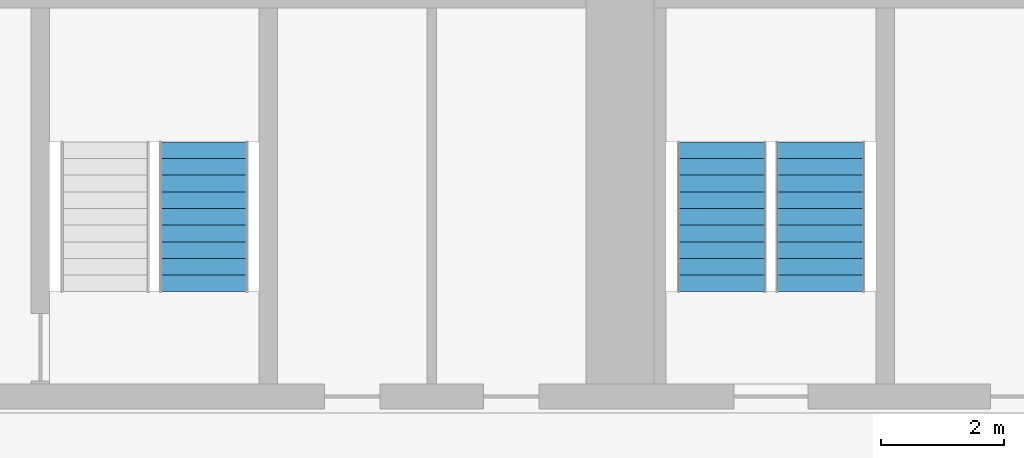
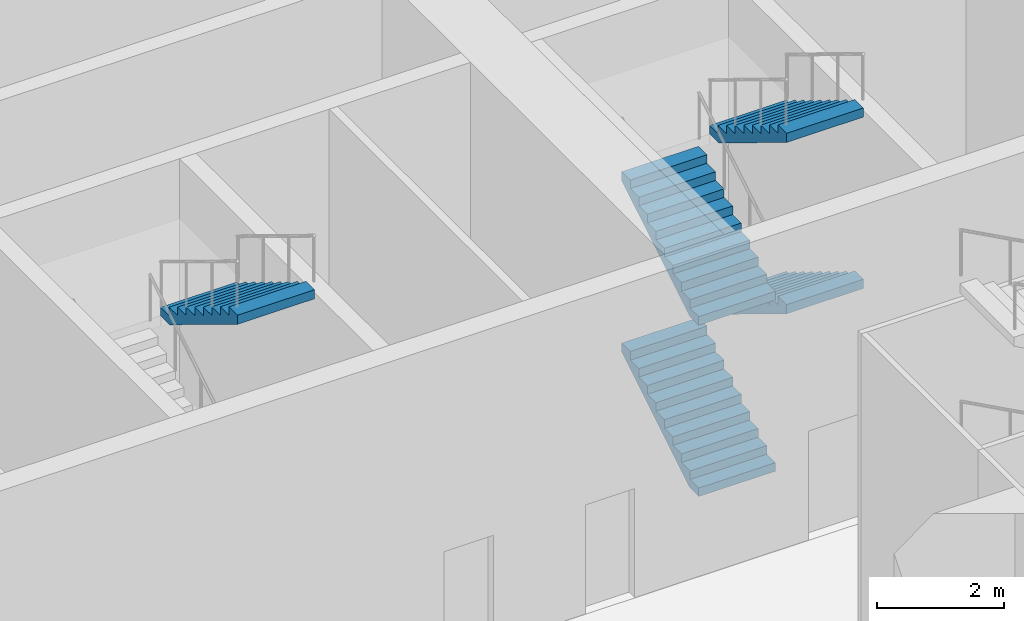
# One storey, part 13 of 18: 5 stair flights, 2 elements without a shape of their own.
"""IFC4 building model written with IfcOpenShell, lengths in metres."""

from ifc_helpers import new_model, si_unit, direction, frame, origin, place, context, subcontext, project, spatial, polyline, outline, extrude, material, type_object, element, aggregate, save


model = new_model("IFC4")

# Units and contexts
model_context = context("Model", 3, precision=1e-05, world=origin(), true_north=direction((0.0, 1.0)))
body_context = subcontext(model_context, "Body", "Model", "MODEL_VIEW")
ifc_project = project(units=[si_unit("LENGTHUNIT", "METRE"), si_unit("AREAUNIT", "SQUARE_METRE"), si_unit("VOLUMEUNIT", "CUBIC_METRE"), si_unit("PLANEANGLEUNIT", "RADIAN"), si_unit("MASSUNIT", "GRAM", prefix="KILO")], contexts=[model_context])

# Site, building, storey
site_placement = place(None, origin())
site = spatial("IfcSite", under=ifc_project, at=site_placement, CompositionType="ELEMENT")
building_placement = place(site_placement, origin())
building = spatial("IfcBuilding", under=site, at=building_placement, Name="Calvaro Tower", CompositionType="ELEMENT")
storey_placement = place(building_placement, frame((0.0, 0.0, 11.300048828125)))
storey = spatial("IfcBuildingStorey", under=building, at=storey_placement, Name="L02", CompositionType="ELEMENT", Elevation=11.300048828125)

# Stair, stair flight
ifc_material_1 = material(Name="Concrete C40/50", Category="concrete")
stair_type = type_object("IfcStairType", Name="Exit stair 1400 4 flights", PredefinedType="DOUBLE_RETURN_STAIR", material=ifc_material_1)
stair_1_placement = place(storey_placement, origin())
stair_1 = element("IfcStair", 1, at=stair_1_placement, inside=storey, type_object=stair_type, Name="Exit stair S4", PredefinedType="DOUBLE_RETURN_STAIR")
ifc_material_2 = material(Name="Concrete C40/50", Category="concrete")
stair_flight_type = type_object("IfcStairFlightType", Name="Stair flight", PredefinedType="STRAIGHT", material=ifc_material_2)
stair_flight_1_placement = place(storey_placement, frame((53.300048828125, 32.330078125, 4.949951171875), z_axis=(0.0, 0.0, 1.0), x_axis=(0.0, -1.0, 0.0)))
stair_flight_1 = element("IfcStairFlight", 2, at=stair_flight_1_placement, type_object=stair_flight_type, Name="Exit stair 4, flight 4", NumberOfRisers=10, NumberOfTreads=9, PredefinedType="STRAIGHT", RiserHeight=0.165, TreadLength=0.27, context=body_context, shape_type="SweptSolid", body=[
    extrude(outline(polyline([(0.0, 0.0), (0.0, 0.1650390625), (0.27001953125, 0.1650390625), (0.27001953125, 0.330078125), (0.5400390625, 0.330078125), (0.5400390625, 0.4951171875), (0.81005859375, 0.4951171875), (0.81005859375, 0.659912109375), (1.080078125, 0.659912109375), (1.080078125, 0.824951171875), (1.35009765625, 0.824951171875), (1.35009765625, 0.989990234375), (1.6201171875, 0.989990234375), (1.6201171875, 1.155029296875), (1.889892578125, 1.155029296875), (1.889892578125, 1.320068359375), (2.159912109375, 1.320068359375), (2.159912109375, 1.485107421875), (2.429931640625, 1.485107421875), (2.429931640625, 1.64990234375), (2.429931640625, 1.309326171875), (0.287353515625, 0.0), (0.0, 0.0)])), frame((0.0, 0.699951171875, 0.0), z_axis=(0.0, -1.0, 0.0), x_axis=(1.0, 0.0, 0.0)), (0.0, 0.0, 1.0), 1.39990234375),
])
aggregate(stair_1, [stair_flight_1])

# Stair, stair flights
stair_2_placement = place(storey_placement, origin())
stair_2 = element("IfcStair", 3, at=stair_2_placement, inside=storey, type_object=stair_type, Name="Exit stair S5", PredefinedType="DOUBLE_RETURN_STAIR")
stair_flight_2_placement = place(storey_placement, frame((61.699951171875, 29.89990234375, 0.0), z_axis=(0.0, 0.0, 1.0), x_axis=(0.0, 1.0, 0.0)))
stair_flight_2 = element("IfcStairFlight", 4, at=stair_flight_2_placement, type_object=stair_flight_type, Name="Exit stair 5, flight 1", NumberOfRisers=10, NumberOfTreads=9, PredefinedType="STRAIGHT", RiserHeight=0.165, TreadLength=0.27, context=body_context, shape_type="SweptSolid", body=[
    extrude(outline(polyline([(0.0, 0.0), (0.0, 0.1650390625), (0.27001953125, 0.1650390625), (0.27001953125, 0.330078125), (0.5400390625, 0.330078125), (0.5400390625, 0.4951171875), (0.81005859375, 0.4951171875), (0.81005859375, 0.659912109375), (1.080078125, 0.659912109375), (1.080078125, 0.824951171875), (1.35009765625, 0.824951171875), (1.35009765625, 0.989990234375), (1.6201171875, 0.989990234375), (1.6201171875, 1.155029296875), (1.889892578125, 1.155029296875), (1.889892578125, 1.320068359375), (2.159912109375, 1.320068359375), (2.159912109375, 1.485107421875), (2.429931640625, 1.485107421875), (2.429931640625, 1.64990234375), (2.429931640625, 1.309326171875), (0.287353515625, 0.0), (0.0, 0.0)])), frame((0.0, 0.699951171875, 0.0), z_axis=(0.0, -1.0, 0.0), x_axis=(1.0, 0.0, 0.0)), (0.0, 0.0, 1.0), 1.39990234375),
])
stair_flight_3_placement = place(storey_placement, frame((63.300048828125, 32.330078125, 1.64990234375), z_axis=(0.0, 0.0, 1.0), x_axis=(0.0, -1.0, 0.0)))
stair_flight_3 = element("IfcStairFlight", 5, at=stair_flight_3_placement, type_object=stair_flight_type, Name="Exit stair 5, flight 2", NumberOfRisers=10, NumberOfTreads=9, PredefinedType="STRAIGHT", RiserHeight=0.165, TreadLength=0.27, context=body_context, shape_type="SweptSolid", body=[
    extrude(outline(polyline([(0.0, 0.0), (0.0, 0.1650390625), (0.27001953125, 0.1650390625), (0.27001953125, 0.330078125), (0.5400390625, 0.330078125), (0.5400390625, 0.4951171875), (0.81005859375, 0.4951171875), (0.81005859375, 0.659912109375), (1.080078125, 0.659912109375), (1.080078125, 0.824951171875), (1.35009765625, 0.824951171875), (1.35009765625, 0.989990234375), (1.6201171875, 0.989990234375), (1.6201171875, 1.155029296875), (1.889892578125, 1.155029296875), (1.889892578125, 1.320068359375), (2.159912109375, 1.320068359375), (2.159912109375, 1.485107421875), (2.429931640625, 1.485107421875), (2.429931640625, 1.64990234375), (2.429931640625, 1.309326171875), (0.287353515625, 0.0), (0.0, 0.0)])), frame((0.0, 0.699951171875, 0.0), z_axis=(0.0, -1.0, 0.0), x_axis=(1.0, 0.0, 0.0)), (0.0, 0.0, 1.0), 1.39990234375),
])
stair_flight_4_placement = place(storey_placement, frame((61.699951171875, 29.89990234375, 3.300048828125), z_axis=(0.0, 0.0, 1.0), x_axis=(0.0, 1.0, 0.0)))
stair_flight_4 = element("IfcStairFlight", 6, at=stair_flight_4_placement, type_object=stair_flight_type, Name="Exit stair 5, flight 3", NumberOfRisers=10, NumberOfTreads=9, PredefinedType="STRAIGHT", RiserHeight=0.165, TreadLength=0.27, context=body_context, shape_type="SweptSolid", body=[
    extrude(outline(polyline([(0.0, 0.0), (0.0, 0.1650390625), (0.27001953125, 0.1650390625), (0.27001953125, 0.330078125), (0.5400390625, 0.330078125), (0.5400390625, 0.4951171875), (0.81005859375, 0.4951171875), (0.81005859375, 0.659912109375), (1.080078125, 0.659912109375), (1.080078125, 0.824951171875), (1.35009765625, 0.824951171875), (1.35009765625, 0.989990234375), (1.6201171875, 0.989990234375), (1.6201171875, 1.155029296875), (1.889892578125, 1.155029296875), (1.889892578125, 1.320068359375), (2.159912109375, 1.320068359375), (2.159912109375, 1.485107421875), (2.429931640625, 1.485107421875), (2.429931640625, 1.64990234375), (2.429931640625, 1.309326171875), (0.287353515625, 0.0), (0.0, 0.0)])), frame((0.0, 0.699951171875, 0.0), z_axis=(0.0, -1.0, 0.0), x_axis=(1.0, 0.0, 0.0)), (0.0, 0.0, 1.0), 1.39990234375),
])
stair_flight_5_placement = place(storey_placement, frame((63.300048828125, 32.330078125, 4.949951171875), z_axis=(0.0, 0.0, 1.0), x_axis=(0.0, -1.0, 0.0)))
stair_flight_5 = element("IfcStairFlight", 7, at=stair_flight_5_placement, type_object=stair_flight_type, Name="Exit stair 5, flight 4", NumberOfRisers=10, NumberOfTreads=9, PredefinedType="STRAIGHT", RiserHeight=0.165, TreadLength=0.27, context=body_context, shape_type="SweptSolid", body=[
    extrude(outline(polyline([(0.0, 0.0), (0.0, 0.1650390625), (0.27001953125, 0.1650390625), (0.27001953125, 0.330078125), (0.5400390625, 0.330078125), (0.5400390625, 0.4951171875), (0.81005859375, 0.4951171875), (0.81005859375, 0.659912109375), (1.080078125, 0.659912109375), (1.080078125, 0.824951171875), (1.35009765625, 0.824951171875), (1.35009765625, 0.989990234375), (1.6201171875, 0.989990234375), (1.6201171875, 1.155029296875), (1.889892578125, 1.155029296875), (1.889892578125, 1.320068359375), (2.159912109375, 1.320068359375), (2.159912109375, 1.485107421875), (2.429931640625, 1.485107421875), (2.429931640625, 1.64990234375), (2.429931640625, 1.309326171875), (0.287353515625, 0.0), (0.0, 0.0)])), frame((0.0, 0.699951171875, 0.0), z_axis=(0.0, -1.0, 0.0), x_axis=(1.0, 0.0, 0.0)), (0.0, 0.0, 1.0), 1.39990234375),
])
aggregate(stair_2, [stair_flight_2, stair_flight_3, stair_flight_4, stair_flight_5])

save(model, "model.ifc")
